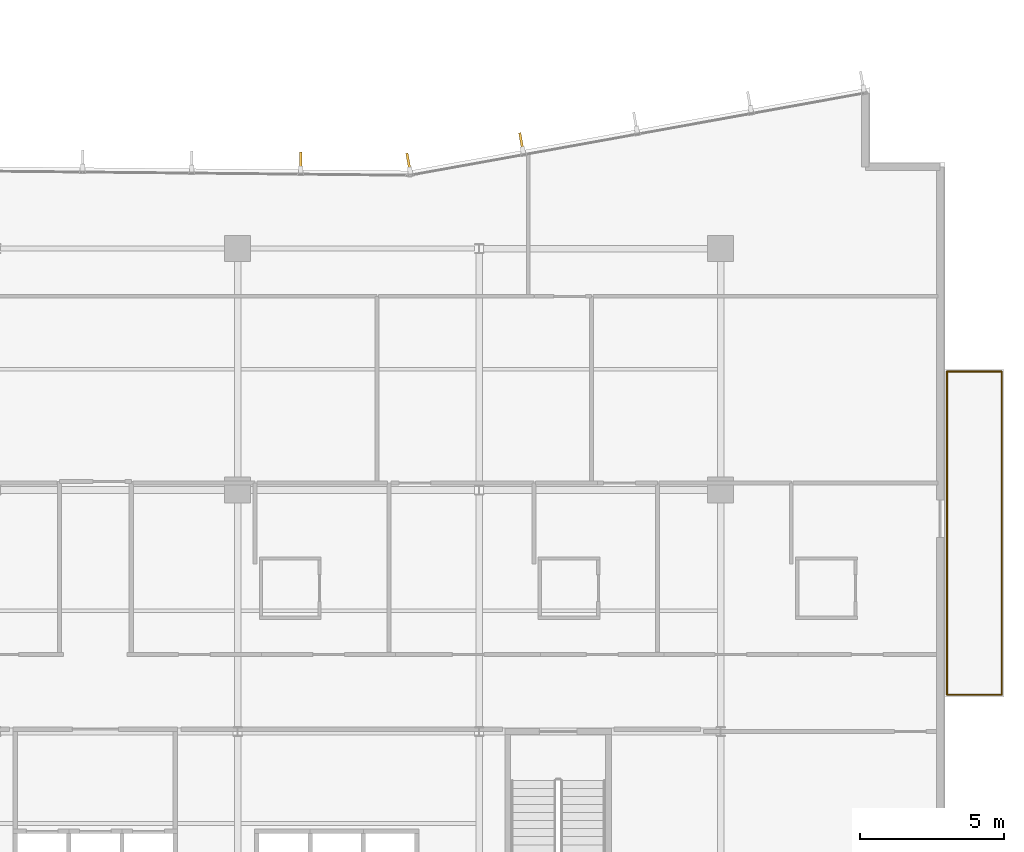
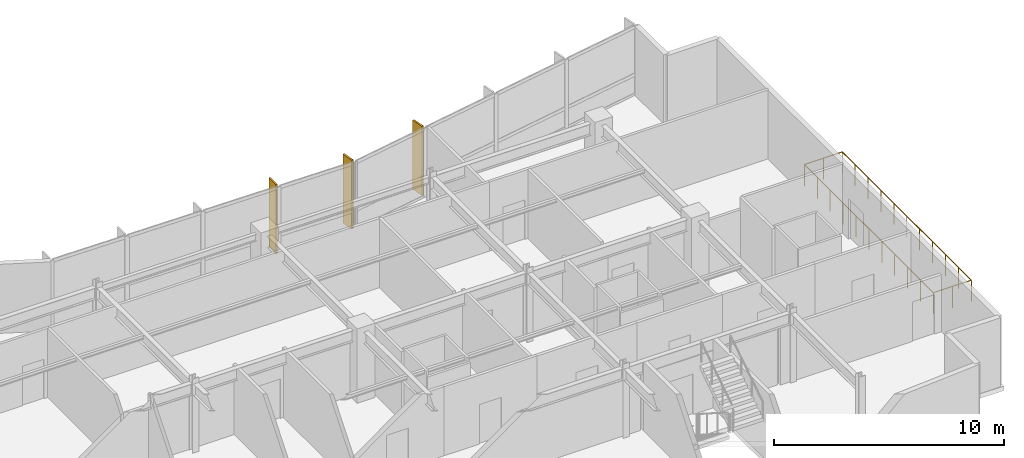
# One storey, part 17 of 19: 4 railings, 3 shading devices.
"""IFC4 building model written with IfcOpenShell, lengths in metres."""

from ifc_helpers import new_model, si_unit, direction, frame, origin, origin_2d, place, context, subcontext, project, spatial, rectangle, circle, extrude, material, layer, layer_set, type_object, element, save


model = new_model("IFC4")

# Units and contexts
model_context = context("Model", 3, precision=1e-05, world=origin(), true_north=direction((0.0, 1.0)))
body_context = subcontext(model_context, "Body", "Model", "MODEL_VIEW")
ifc_project = project(units=[si_unit("LENGTHUNIT", "METRE"), si_unit("AREAUNIT", "SQUARE_METRE"), si_unit("VOLUMEUNIT", "CUBIC_METRE"), si_unit("PLANEANGLEUNIT", "RADIAN"), si_unit("MASSUNIT", "GRAM", prefix="KILO")], contexts=[model_context])

# Site, building, storey
site_placement = place(None, origin())
site = spatial("IfcSite", under=ifc_project, at=site_placement, CompositionType="ELEMENT")
building_placement = place(site_placement, origin())
building = spatial("IfcBuilding", under=site, at=building_placement, Name="Varnakote Quay Hospital", CompositionType="ELEMENT")
storey_placement = place(building_placement, frame((0.0, 0.0, 93.60009765625)))
storey = spatial("IfcBuildingStorey", under=building, at=storey_placement, Name="L23", CompositionType="ELEMENT", Elevation=93.60009765625)

# Railings
ifc_material_1 = material(Name="Anodised aluminium 6063-T6 Bronze", Category="aluminium")
railing_type = type_object("IfcRailingType", Name="RLG-EXT-GUARD-1150", PredefinedType="GUARDRAIL", material=ifc_material_1)
railing_1_placement = place(storey_placement, frame((58.27587890625, 24.52001953125, 0.0)))
element("IfcRailing", 1, at=railing_1_placement, inside=storey, type_object=railing_type, Name="L23 Zigzag Prow Healing Terrace Safety Guard", PredefinedType="GUARDRAIL", context=body_context, shape_type="SweptSolid", body=[
    extrude(circle(Radius=0.02392578125, at=origin_2d()), frame((0.0, 0.0, 1.1259765625), z_axis=(1.0, 0.0, 0.0), x_axis=(0.0, 1.0, 0.0)), (0.0, 0.0, 1.0), 1.904052734375),
    extrude(circle(Radius=0.02099609375, at=origin_2d()), origin(), (0.0, 0.0, 1.0), 1.101806640625),
    extrude(circle(Radius=0.02099609375, at=origin_2d()), frame((0.9521484375, 0.0, 0.0)), (0.0, 0.0, 1.0), 1.101806640625),
    extrude(circle(Radius=0.02099609375, at=origin_2d()), frame((1.904052734375, 0.0, 0.0)), (0.0, 0.0, 1.0), 1.101806640625),
])
railing_2_placement = place(storey_placement, frame((60.179931640625, 24.52001953125, 0.0)))
element("IfcRailing", 2, at=railing_2_placement, inside=storey, type_object=railing_type, Name="L23 Zigzag Prow Healing Terrace Safety Guard", PredefinedType="GUARDRAIL", context=body_context, shape_type="SweptSolid", body=[
    extrude(circle(Radius=0.02392578125, at=origin_2d()), frame((0.0, 0.0, 1.1259765625), z_axis=(0.0, -1.0, 0.0), x_axis=(1.0, 0.0, 0.0)), (0.0, 0.0, 1.0), 11.239990234375),
    extrude(circle(Radius=0.02099609375, at=origin_2d()), origin(), (0.0, 0.0, 1.0), 1.101806640625),
    extrude(circle(Radius=0.02099609375, at=origin_2d()), frame((0.0, -1.1240234375, 0.0)), (0.0, 0.0, 1.0), 1.101806640625),
    extrude(circle(Radius=0.02099609375, at=origin_2d()), frame((0.0, -2.248046875, 0.0)), (0.0, 0.0, 1.0), 1.101806640625),
    extrude(circle(Radius=0.02099609375, at=origin_2d()), frame((0.0, -3.3720703125, 0.0)), (0.0, 0.0, 1.0), 1.101806640625),
    extrude(circle(Radius=0.02099609375, at=origin_2d()), frame((0.0, -4.49609375, 0.0)), (0.0, 0.0, 1.0), 1.101806640625),
    extrude(circle(Radius=0.02099609375, at=origin_2d()), frame((0.0, -5.6201171875, 0.0)), (0.0, 0.0, 1.0), 1.101806640625),
    extrude(circle(Radius=0.02099609375, at=origin_2d()), frame((0.0, -6.743896484375, 0.0)), (0.0, 0.0, 1.0), 1.101806640625),
    extrude(circle(Radius=0.02099609375, at=origin_2d()), frame((0.0, -7.867919921875, 0.0)), (0.0, 0.0, 1.0), 1.101806640625),
    extrude(circle(Radius=0.02099609375, at=origin_2d()), frame((0.0, -8.991943359375, 0.0)), (0.0, 0.0, 1.0), 1.101806640625),
    extrude(circle(Radius=0.02099609375, at=origin_2d()), frame((0.0, -10.115966796875, 0.0)), (0.0, 0.0, 1.0), 1.101806640625),
    extrude(circle(Radius=0.02099609375, at=origin_2d()), frame((0.0, -11.239990234375, 0.0)), (0.0, 0.0, 1.0), 1.101806640625),
])
railing_3_placement = place(storey_placement, frame((60.179931640625, 13.280029296875, 0.0)))
element("IfcRailing", 3, at=railing_3_placement, inside=storey, type_object=railing_type, Name="L23 Zigzag Prow Healing Terrace Safety Guard", PredefinedType="GUARDRAIL", context=body_context, shape_type="SweptSolid", body=[
    extrude(circle(Radius=0.02392578125, at=origin_2d()), frame((0.0, 0.0, 1.1259765625), z_axis=(-1.0, 0.0, 0.0), x_axis=(0.0, -1.0, 0.0)), (0.0, 0.0, 1.0), 1.904052734375),
    extrude(circle(Radius=0.02099609375, at=origin_2d()), origin(), (0.0, 0.0, 1.0), 1.101806640625),
    extrude(circle(Radius=0.02099609375, at=origin_2d()), frame((-0.9521484375, 0.0, 0.0)), (0.0, 0.0, 1.0), 1.101806640625),
    extrude(circle(Radius=0.02099609375, at=origin_2d()), frame((-1.904052734375, 0.0, 0.0)), (0.0, 0.0, 1.0), 1.101806640625),
])
railing_4_placement = place(storey_placement, frame((58.27587890625, 13.280029296875, 0.0)))
element("IfcRailing", 4, at=railing_4_placement, inside=storey, type_object=railing_type, Name="L23 Zigzag Prow Healing Terrace Safety Guard", PredefinedType="GUARDRAIL", context=body_context, shape_type="SweptSolid", body=[
    extrude(circle(Radius=0.02392578125, at=origin_2d()), frame((0.0, 0.0, 1.1259765625), z_axis=(0.0, 1.0, 0.0), x_axis=(-1.0, 0.0, 0.0)), (0.0, 0.0, 1.0), 11.239990234375),
    extrude(circle(Radius=0.02099609375, at=origin_2d()), origin(), (0.0, 0.0, 1.0), 1.101806640625),
    extrude(circle(Radius=0.02099609375, at=origin_2d()), frame((0.0, 1.1240234375, 0.0)), (0.0, 0.0, 1.0), 1.101806640625),
    extrude(circle(Radius=0.02099609375, at=origin_2d()), frame((0.0, 2.248046875, 0.0)), (0.0, 0.0, 1.0), 1.101806640625),
    extrude(circle(Radius=0.02099609375, at=origin_2d()), frame((0.0, 3.3720703125, 0.0)), (0.0, 0.0, 1.0), 1.101806640625),
    extrude(circle(Radius=0.02099609375, at=origin_2d()), frame((0.0, 4.49609375, 0.0)), (0.0, 0.0, 1.0), 1.101806640625),
    extrude(circle(Radius=0.02099609375, at=origin_2d()), frame((0.0, 5.6201171875, 0.0)), (0.0, 0.0, 1.0), 1.101806640625),
    extrude(circle(Radius=0.02099609375, at=origin_2d()), frame((0.0, 6.743896484375, 0.0)), (0.0, 0.0, 1.0), 1.101806640625),
    extrude(circle(Radius=0.02099609375, at=origin_2d()), frame((0.0, 7.867919921875, 0.0)), (0.0, 0.0, 1.0), 1.101806640625),
    extrude(circle(Radius=0.02099609375, at=origin_2d()), frame((0.0, 8.991943359375, 0.0)), (0.0, 0.0, 1.0), 1.101806640625),
    extrude(circle(Radius=0.02099609375, at=origin_2d()), frame((0.0, 10.115966796875, 0.0)), (0.0, 0.0, 1.0), 1.101806640625),
    extrude(circle(Radius=0.02099609375, at=origin_2d()), frame((0.0, 11.239990234375, 0.0)), (0.0, 0.0, 1.0), 1.101806640625),
])

# Shading devices
ifc_material_2 = material(Name="Anodised aluminium 6063-T6 Bronze", Category="aluminium")
ifc_layer = layer(ifc_material_2, 0.0849609375)
ifc_layer_set = layer_set([ifc_layer], Name="Anodised aluminium 6063-T6 Bronze")
shading_device_type = type_object("IfcShadingDeviceType", Name="SHD-BRONZE-FIN-620", PredefinedType="USERDEFINED", material=ifc_layer_set)
for number, where, z_axis, x_axis, name in (
    (5, (43.468505859375, 32.522705078125, 0.0), (0.0, 0.0, 1.0), (0.177771795263, -0.984071739666, 0.0), "L23 Anodised Bronze Vertical Shading FIN"),
    (6, (39.54296875, 31.81298828125, 0.0), (0.0, 0.0, 1.0), (0.177771795263, -0.984071739666, 0.0), "L23 Anodised Bronze Vertical Shading FIN"),
    (7, (35.798583984375, 31.85107421875, 0.0), (0.0, 0.0, 1.0), (-0.009773688199, -0.999952236369, 0.0), "L23 Anodised Bronze Vertical Shading FIN"),
):
    element("IfcShadingDevice", number, at=place(storey_placement, frame(where, z_axis=z_axis, x_axis=x_axis)), inside=storey, type_object=shading_device_type, Name=name, ObjectType="FIN", PredefinedType="USERDEFINED", context=body_context, shape_type="SweptSolid", body=[
        extrude(rectangle(XDim=0.6201171875, YDim=0.0849609375, at=origin_2d()), origin(), (0.0, 0.0, 1.0), 3.669921875),
    ])

save(model, "model.ifc")
